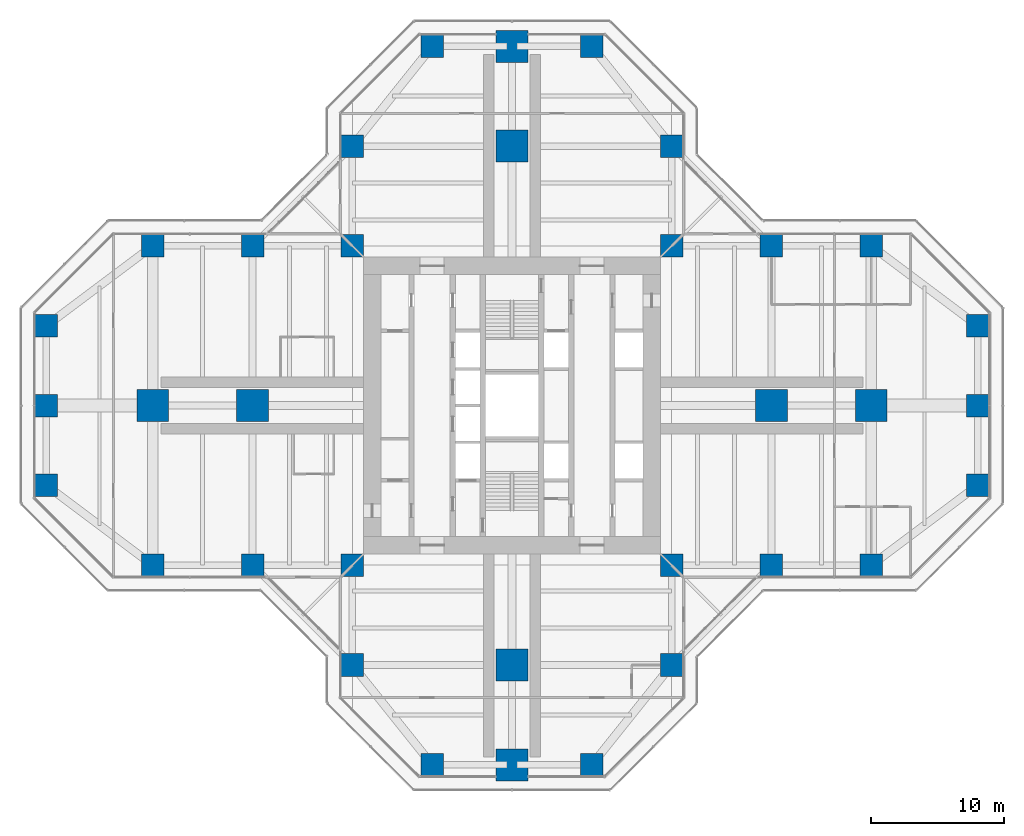
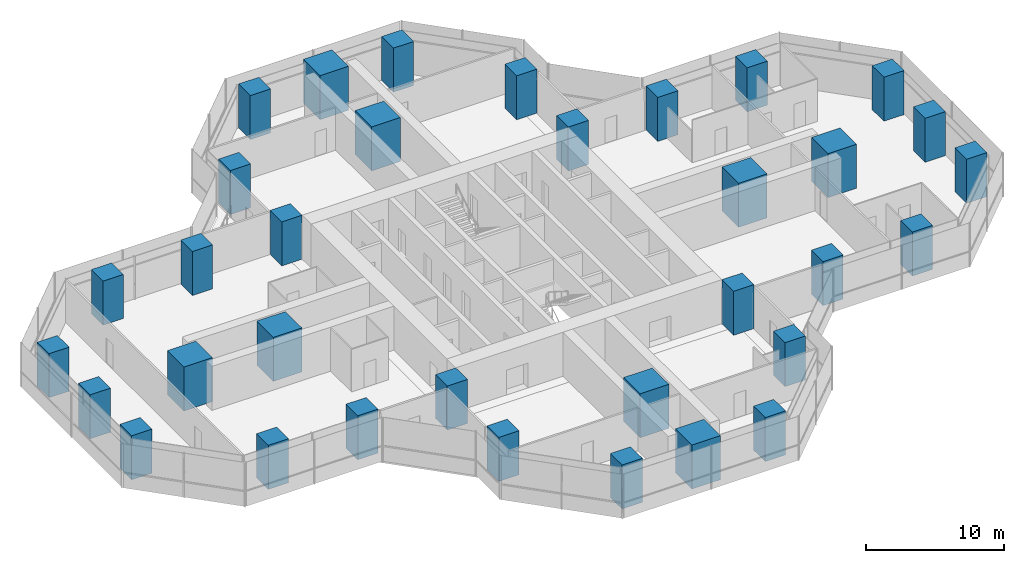
# One storey, part 1 of 19: 34 columns.
"""IFC4 building model written with IfcOpenShell, lengths in metres."""

from ifc_helpers import new_model, si_unit, direction, frame, origin, origin_2d, place, context, subcontext, project, spatial, rectangle, extrude, material, material_profile, profile_set, type_object, element, save


model = new_model("IFC4")

# Units and contexts
model_context = context("Model", 3, precision=1e-05, world=origin(), true_north=direction((0.0, 1.0)))
body_context = subcontext(model_context, "Body", "Model", "MODEL_VIEW")
ifc_project = project(units=[si_unit("LENGTHUNIT", "METRE"), si_unit("AREAUNIT", "SQUARE_METRE"), si_unit("VOLUMEUNIT", "CUBIC_METRE"), si_unit("PLANEANGLEUNIT", "RADIAN"), si_unit("MASSUNIT", "GRAM", prefix="KILO")], contexts=[model_context])

# Site, building, storey
site_placement = place(None, origin())
site = spatial("IfcSite", under=ifc_project, at=site_placement, CompositionType="ELEMENT")
building_placement = place(site_placement, origin())
building = spatial("IfcBuilding", under=site, at=building_placement, Name="Mizan Broadcast Tower", CompositionType="ELEMENT")
storey_placement = place(building_placement, frame((0.0, 0.0, 132.0)))
storey = spatial("IfcBuildingStorey", under=building, at=storey_placement, Name="L29", CompositionType="ELEMENT", Elevation=132.0)

# Columns
ifc_material_1 = material(Name="Concrete C70/85", Category="concrete")
ifc_material_profile_1 = material_profile(ifc_material_1, rectangle(XDim=1.699951171875, YDim=1.699951171875, at=origin_2d()), Name="RC 1700x1700")
ifc_profile_set_1 = profile_set([ifc_material_profile_1], Name="Concrete C70/85")
column_type_1 = type_object("IfcColumnType", Name="RC COLUMN 1700x1700 C70/85", PredefinedType="COLUMN", material=ifc_profile_set_1)
for number, where, z_axis, x_axis, name in (
    (1, (-6.0, -27.0, 0.0), (0.0, 0.0, 1.0), (1.0, 0.0, 0.0), "Column 5/B L29"),
    (2, (6.0, -27.0, 0.0), (0.0, 0.0, 1.0), (1.0, 0.0, 0.0), "Column 7/B L29"),
    (3, (-12.0, -19.5, 0.0), (0.0, 0.0, 1.0), (1.0, 0.0, 0.0), "Column 4/C L29"),
    (4, (12.0, -19.5, 0.0), (0.0, 0.0, 1.0), (1.0, 0.0, 0.0), "Column 8/C L29"),
    (5, (-27.0, -12.0, 0.0), (0.0, 0.0, 1.0), (1.0, 0.0, 0.0), "Column 2/D L29"),
    (6, (-19.5, -12.0, 0.0), (0.0, 0.0, 1.0), (1.0, 0.0, 0.0), "Column 3/D L29"),
    (7, (-12.0, -12.0, 0.0), (0.0, 0.0, 1.0), (1.0, 0.0, 0.0), "Column 4/D L29"),
    (8, (12.0, -12.0, 0.0), (0.0, 0.0, 1.0), (1.0, 0.0, 0.0), "Column 8/D L29"),
    (9, (19.5, -12.0, 0.0), (0.0, 0.0, 1.0), (1.0, 0.0, 0.0), "Column 9/D L29"),
    (10, (27.0, -12.0, 0.0), (0.0, 0.0, 1.0), (1.0, 0.0, 0.0), "Column 10/D L29"),
    (11, (-35.0, -6.0, 0.0), (0.0, 0.0, 1.0), (1.0, 0.0, 0.0), "Column 1/E L29"),
    (12, (35.0, -6.0, 0.0), (0.0, 0.0, 1.0), (1.0, 0.0, 0.0), "Column 11/E L29"),
    (13, (-35.0, 0.0, 0.0), (0.0, 0.0, 1.0), (1.0, 0.0, 0.0), "Column 1/F L29"),
    (14, (35.0, 0.0, 0.0), (0.0, 0.0, 1.0), (1.0, 0.0, 0.0), "Column 11/F L29"),
    (15, (-35.0, 6.0, 0.0), (0.0, 0.0, 1.0), (1.0, 0.0, 0.0), "Column 1/G L29"),
    (16, (35.0, 6.0, 0.0), (0.0, 0.0, 1.0), (1.0, 0.0, 0.0), "Column 11/G L29"),
    (17, (-27.0, 12.0, 0.0), (0.0, 0.0, 1.0), (1.0, 0.0, 0.0), "Column 2/H L29"),
    (18, (-19.5, 12.0, 0.0), (0.0, 0.0, 1.0), (1.0, 0.0, 0.0), "Column 3/H L29"),
    (19, (-12.0, 12.0, 0.0), (0.0, 0.0, 1.0), (1.0, 0.0, 0.0), "Column 4/H L29"),
    (20, (12.0, 12.0, 0.0), (0.0, 0.0, 1.0), (1.0, 0.0, 0.0), "Column 8/H L29"),
    (21, (19.5, 12.0, 0.0), (0.0, 0.0, 1.0), (1.0, 0.0, 0.0), "Column 9/H L29"),
    (22, (27.0, 12.0, 0.0), (0.0, 0.0, 1.0), (1.0, 0.0, 0.0), "Column 10/H L29"),
    (23, (-12.0, 19.5, 0.0), (0.0, 0.0, 1.0), (1.0, 0.0, 0.0), "Column 4/J L29"),
    (24, (12.0, 19.5, 0.0), (0.0, 0.0, 1.0), (1.0, 0.0, 0.0), "Column 8/J L29"),
    (25, (-6.0, 27.0, 0.0), (0.0, 0.0, 1.0), (1.0, 0.0, 0.0), "Column 5/K L29"),
    (26, (6.0, 27.0, 0.0), (0.0, 0.0, 1.0), (1.0, 0.0, 0.0), "Column 7/K L29"),
):
    element("IfcColumn", number, at=place(storey_placement, frame(where, z_axis=z_axis, x_axis=x_axis)), inside=storey, type_object=column_type_1, Name=name, PredefinedType="COLUMN", context=body_context, shape_type="SweptSolid", body=[
        extrude(rectangle(XDim=1.699951171875, YDim=1.699951171875, at=origin_2d()), origin(), (0.0, 0.0, 1.0), 3.89990234375),
    ])
ifc_material_2 = material(Name="Concrete C70/85", Category="concrete")
ifc_material_profile_2 = material_profile(ifc_material_2, rectangle(XDim=2.39990234375, YDim=2.39990234375, at=origin_2d()), Name="RC 2400x2400")
ifc_profile_set_2 = profile_set([ifc_material_profile_2], Name="Concrete C70/85")
column_type_2 = type_object("IfcColumnType", Name="RC COLUMN 2400x2400 C70/85", PredefinedType="COLUMN", material=ifc_profile_set_2)
for number, where, z_axis, x_axis, name in (
    (27, (0.0, -27.0, 0.0), (0.0, 0.0, 1.0), (1.0, 0.0, 0.0), "Column 6/B L29"),
    (28, (0.0, -19.5, 0.0), (0.0, 0.0, 1.0), (1.0, 0.0, 0.0), "Column 6/C L29"),
    (29, (-27.0, 0.0, 0.0), (0.0, 0.0, 1.0), (1.0, 0.0, 0.0), "Column 2/F L29"),
    (30, (-19.5, 0.0, 0.0), (0.0, 0.0, 1.0), (1.0, 0.0, 0.0), "Column 3/F L29"),
    (31, (19.5, 0.0, 0.0), (0.0, 0.0, 1.0), (1.0, 0.0, 0.0), "Column 9/F L29"),
    (32, (27.0, 0.0, 0.0), (0.0, 0.0, 1.0), (1.0, 0.0, 0.0), "Column 10/F L29"),
    (33, (0.0, 19.5, 0.0), (0.0, 0.0, 1.0), (1.0, 0.0, 0.0), "Column 6/J L29"),
    (34, (0.0, 27.0, 0.0), (0.0, 0.0, 1.0), (1.0, 0.0, 0.0), "Column 6/K L29"),
):
    element("IfcColumn", number, at=place(storey_placement, frame(where, z_axis=z_axis, x_axis=x_axis)), inside=storey, type_object=column_type_2, Name=name, PredefinedType="COLUMN", context=body_context, shape_type="SweptSolid", body=[
        extrude(rectangle(XDim=2.39990234375, YDim=2.39990234375, at=origin_2d()), origin(), (0.0, 0.0, 1.0), 3.89990234375),
    ])

save(model, "model.ifc")
